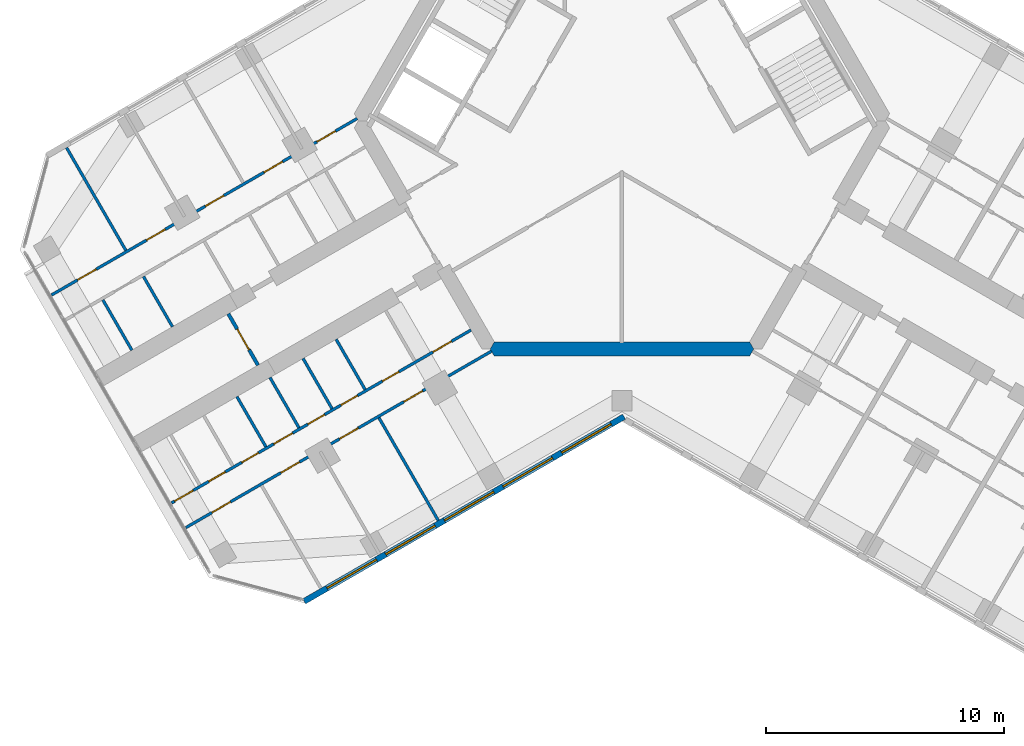
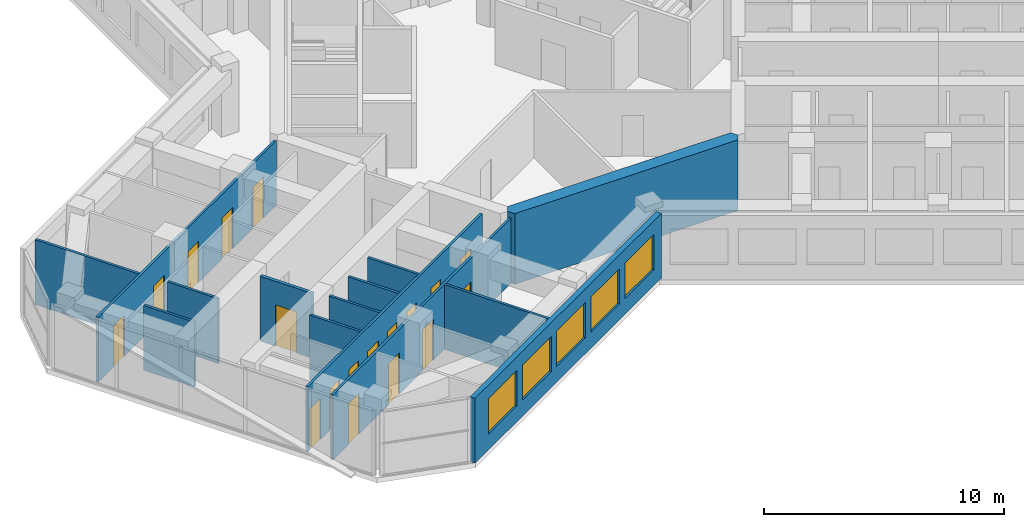
# One storey, part 8 of 16: 18 doors, 14 walls, 5 windows, 23 openings.
"""IFC4 building model written with IfcOpenShell, lengths in metres."""

from ifc_helpers import new_model, si_unit, direction, frame, frame_2d, origin, place, context, subcontext, project, spatial, polyline, rectangle, outline, extrude, material, layer, layer_set, type_object, element, fill, save


model = new_model("IFC4")

# Units and contexts
model_context = context("Model", 3, precision=1e-05, world=origin(), true_north=direction((0.0, 1.0)))
body_context = subcontext(model_context, "Body", "Model", "MODEL_VIEW")
ifc_project = project(units=[si_unit("LENGTHUNIT", "METRE"), si_unit("AREAUNIT", "SQUARE_METRE"), si_unit("VOLUMEUNIT", "CUBIC_METRE"), si_unit("PLANEANGLEUNIT", "RADIAN"), si_unit("MASSUNIT", "GRAM", prefix="KILO")], contexts=[model_context])

# Site, building, storey
site_placement = place(None, origin())
site = spatial("IfcSite", under=ifc_project, at=site_placement, CompositionType="ELEMENT")
building_placement = place(site_placement, origin())
building = spatial("IfcBuilding", under=site, at=building_placement, Name="Kosmar Iwan School Tower", CompositionType="ELEMENT")
storey_placement = place(building_placement, frame((0.0, 0.0, 256.800048828125)))
storey = spatial("IfcBuildingStorey", under=building, at=storey_placement, Name="L65", CompositionType="ELEMENT", Elevation=256.800048828125)

# Wall
ifc_material_1 = material(Name="Concrete C50/60", Category="concrete")
ifc_layer_1 = layer(ifc_material_1, 0.60009765625)
ifc_layer_set_1 = layer_set([ifc_layer_1], Name="Core wall 600")
wall_type_1 = type_object("IfcWallType", Name="Core wall 600", PredefinedType="SHEAR", material=ifc_layer_set_1)
wall_1_placement = place(storey_placement, origin())
element("IfcWall", 1, at=wall_1_placement, inside=storey, type_object=wall_type_1, Name="Core wall F270", PredefinedType="SHEAR", context=body_context, shape_type="SweptSolid", body=[
    extrude(outline(polyline([(-5.369384765625, -9.89990234375), (5.369384765625, -9.89990234375), (5.54248046875, -9.60009765625), (5.369384765625, -9.300048828125), (-5.369384765625, -9.300048828125), (-5.54248046875, -9.60009765625), (-5.369384765625, -9.89990234375)])), origin(), (0.0, 0.0, 1.0), 3.599853515625),
])

# Wall, opening, door
ifc_material_2 = material(Name="Gypsum board on steel studs, fire-rated", Category="steel")
ifc_layer_2 = layer(ifc_material_2, 0.14990234375)
ifc_layer_set_2 = layer_set([ifc_layer_2], Name="Corridor end wall 150")
wall_type_2 = type_object("IfcWallType", Name="Corridor end wall 150", PredefinedType="PARTITIONING", material=ifc_layer_set_2)
wall_2_placement = place(storey_placement, frame((-16.559814453125, -8.117431640625, 0.0), z_axis=(0.0, 0.0, 1.0), x_axis=(0.500004234368, -0.866022959057, 0.0)))
wall_2 = element("IfcWall", 2, at=wall_2_placement, inside=storey, type_object=wall_type_2, Name="Partition L65-B-CE", PredefinedType="PARTITIONING", context=body_context, shape_type="SweptSolid", body=[
    extrude(rectangle(XDim=2.5, YDim=0.14990234375, at=frame_2d((1.25, 0.0))), origin(), (0.0, 0.0, 1.0), 3.300048828125),
])
opening_1_placement = place(wall_2_placement, frame((0.75, 0.0, 0.0)))
opening_1 = element("IfcOpeningElement", 3, at=opening_1_placement, cuts=wall_2, Name="Opening D13", PredefinedType="OPENING", context=body_context, shape_type="SweptSolid", body=[
    extrude(rectangle(XDim=1.0, YDim=2.10009765625, at=frame_2d((0.5, 1.050048828125))), frame((0.0, 0.0869140625, 0.0), z_axis=(0.0, -1.0, 0.0), x_axis=(1.0, 0.0, 0.0)), (0.0, 0.0, 1.0), 0.173828125),
])
ifc_material_3 = material(Name="Timber fire door with vision panel", Category="wood")
door_type_1 = type_object("IfcDoorType", Name="Corridor end door 1000x2100", OperationType="SINGLE_SWING_LEFT", PredefinedType="DOOR", material=ifc_material_3)
door_1_placement = place(opening_1_placement, origin())
door_1 = element("IfcDoor", 4, at=door_1_placement, inside=storey, type_object=door_type_1, Name="Hobby workshop door L65-B", OperationType="SINGLE_SWING_RIGHT", OverallHeight=2.10009765625, OverallWidth=1.0, PredefinedType="DOOR", context=body_context, shape_type="SweptSolid", body=[
    extrude(rectangle(XDim=1.0, YDim=2.10009765625, at=frame_2d((0.5, 1.050048828125))), frame((0.0, 0.02490234375, 0.0), z_axis=(0.0, -1.0, 0.0), x_axis=(1.0, 0.0, 0.0)), (0.0, 0.0, 1.0), 0.050048828125),
])
fill(opening_1, door_1)

# Wall, openings, doors
ifc_material_4 = material(Name="Gypsum board on steel studs", Category="steel")
ifc_layer_3 = layer(ifc_material_4, 0.1201171875)
ifc_layer_set_3 = layer_set([ifc_layer_3], Name="Dwelling partition 120")
wall_type_3 = type_object("IfcWallType", Name="Dwelling partition 120", PredefinedType="PARTITIONING", material=ifc_layer_set_3)
wall_3_placement = place(storey_placement, frame((-6.3486328125, -8.8037109375, 0.0), z_axis=(0.0, 0.0, 1.0), x_axis=(-0.866020949409, -0.500007715126, 0.0)))
wall_3 = element("IfcWall", 5, at=wall_3_placement, inside=storey, type_object=wall_type_3, Name="Partition L65-BL1-W1", PredefinedType="PARTITIONING", context=body_context, shape_type="SweptSolid", body=[
    extrude(rectangle(XDim=14.545166015625, YDim=0.1201171875, at=frame_2d((7.2724609375, 0.0))), origin(), (0.0, 0.0, 1.0), 3.300048828125),
])
opening_2_placement = place(wall_3_placement, frame((0.949951171875, 0.0, 0.0)))
opening_2 = element("IfcOpeningElement", 6, at=opening_2_placement, cuts=wall_3, Name="Opening D2", PredefinedType="OPENING", context=body_context, shape_type="SweptSolid", body=[
    extrude(rectangle(XDim=0.89990234375, YDim=2.10009765625, at=frame_2d((0.449951171875, 1.050048828125))), frame((0.0, 0.072021484375, 0.0), z_axis=(0.0, -1.0, 0.0), x_axis=(1.0, 0.0, 0.0)), (0.0, 0.0, 1.0), 0.14404296875),
])
opening_3_placement = place(wall_3_placement, frame((3.505126953125, 0.0, 0.0)))
opening_3 = element("IfcOpeningElement", 7, at=opening_3_placement, cuts=wall_3, Name="Opening D3", PredefinedType="OPENING", context=body_context, shape_type="SweptSolid", body=[
    extrude(rectangle(XDim=0.800048828125, YDim=2.10009765625, at=frame_2d((0.39990234375, 1.050048828125))), frame((0.0, 0.072021484375, 0.0), z_axis=(0.0, -1.0, 0.0), x_axis=(1.0, 0.0, 0.0)), (0.0, 0.0, 1.0), 0.14404296875),
])
opening_4_placement = place(wall_3_placement, frame((5.513427734375, 0.0, 0.0)))
opening_4 = element("IfcOpeningElement", 8, at=opening_4_placement, cuts=wall_3, Name="Opening D3", PredefinedType="OPENING", context=body_context, shape_type="SweptSolid", body=[
    extrude(rectangle(XDim=0.800048828125, YDim=2.10009765625, at=frame_2d((0.39990234375, 1.050048828125))), frame((0.0, 0.072021484375, 0.0), z_axis=(0.0, -1.0, 0.0), x_axis=(1.0, 0.0, 0.0)), (0.0, 0.0, 1.0), 0.14404296875),
])
opening_5_placement = place(wall_3_placement, frame((7.1201171875, 0.0, 0.0)))
opening_5 = element("IfcOpeningElement", 9, at=opening_5_placement, cuts=wall_3, Name="Opening D3", PredefinedType="OPENING", context=body_context, shape_type="SweptSolid", body=[
    extrude(rectangle(XDim=0.800048828125, YDim=2.10009765625, at=frame_2d((0.39990234375, 1.050048828125))), frame((0.0, 0.072021484375, 0.0), z_axis=(0.0, -1.0, 0.0), x_axis=(1.0, 0.0, 0.0)), (0.0, 0.0, 1.0), 0.14404296875),
])
opening_6_placement = place(wall_3_placement, frame((8.6767578125, 0.0, 0.0)))
opening_6 = element("IfcOpeningElement", 10, at=opening_6_placement, cuts=wall_3, Name="Opening D2", PredefinedType="OPENING", context=body_context, shape_type="SweptSolid", body=[
    extrude(rectangle(XDim=0.89990234375, YDim=2.10009765625, at=frame_2d((0.449951171875, 1.050048828125))), frame((0.0, 0.072021484375, 0.0), z_axis=(0.0, -1.0, 0.0), x_axis=(1.0, 0.0, 0.0)), (0.0, 0.0, 1.0), 0.14404296875),
])
opening_7_placement = place(wall_3_placement, frame((10.333251953125, 0.0, 0.0)))
opening_7 = element("IfcOpeningElement", 11, at=opening_7_placement, cuts=wall_3, Name="Opening D3", PredefinedType="OPENING", context=body_context, shape_type="SweptSolid", body=[
    extrude(rectangle(XDim=0.800048828125, YDim=2.10009765625, at=frame_2d((0.39990234375, 1.050048828125))), frame((0.0, 0.072021484375, 0.0), z_axis=(0.0, -1.0, 0.0), x_axis=(1.0, 0.0, 0.0)), (0.0, 0.0, 1.0), 0.14404296875),
])
opening_8_placement = place(wall_3_placement, frame((11.93994140625, 0.0, 0.0)))
opening_8 = element("IfcOpeningElement", 12, at=opening_8_placement, cuts=wall_3, Name="Opening D3", PredefinedType="OPENING", context=body_context, shape_type="SweptSolid", body=[
    extrude(rectangle(XDim=0.800048828125, YDim=2.10009765625, at=frame_2d((0.39990234375, 1.050048828125))), frame((0.0, 0.072021484375, 0.0), z_axis=(0.0, -1.0, 0.0), x_axis=(1.0, 0.0, 0.0)), (0.0, 0.0, 1.0), 0.14404296875),
])
opening_9_placement = place(wall_3_placement, frame((13.49658203125, 0.0, 0.0)))
opening_9 = element("IfcOpeningElement", 13, at=opening_9_placement, cuts=wall_3, Name="Opening D2", PredefinedType="OPENING", context=body_context, shape_type="SweptSolid", body=[
    extrude(rectangle(XDim=0.89990234375, YDim=2.10009765625, at=frame_2d((0.449951171875, 1.050048828125))), frame((0.0, 0.072021484375, 0.0), z_axis=(0.0, -1.0, 0.0), x_axis=(1.0, 0.0, 0.0)), (0.0, 0.0, 1.0), 0.14404296875),
])
ifc_material_5 = material(Name="Timber door in timber frame", Category="wood")
door_type_2 = type_object("IfcDoorType", Name="Internal door 900x2100", OperationType="SINGLE_SWING_LEFT", PredefinedType="DOOR", material=ifc_material_5)
door_2_placement = place(opening_2_placement, origin())
door_2 = element("IfcDoor", 14, at=door_2_placement, inside=storey, type_object=door_type_2, Name="Entrance hall door L65-BL1-S1", OperationType="SINGLE_SWING_LEFT", OverallHeight=2.10009765625, OverallWidth=0.89990234375, PredefinedType="DOOR", context=body_context, shape_type="SweptSolid", body=[
    extrude(rectangle(XDim=0.89990234375, YDim=2.10009765625, at=frame_2d((0.449951171875, 1.050048828125))), frame((0.0, 0.02490234375, 0.0), z_axis=(0.0, -1.0, 0.0), x_axis=(1.0, 0.0, 0.0)), (0.0, 0.0, 1.0), 0.050048828125),
])
fill(opening_2, door_2)
door_3_placement = place(opening_6_placement, origin())
door_3 = element("IfcDoor", 15, at=door_3_placement, inside=storey, type_object=door_type_2, Name="Pantry door L65-BL1-S5", OperationType="SINGLE_SWING_RIGHT", OverallHeight=2.10009765625, OverallWidth=0.89990234375, PredefinedType="DOOR", context=body_context, shape_type="SweptSolid", body=[
    extrude(rectangle(XDim=0.89990234375, YDim=2.10009765625, at=frame_2d((0.449951171875, 1.050048828125))), frame((0.0, 0.02490234375, 0.0), z_axis=(0.0, -1.0, 0.0), x_axis=(1.0, 0.0, 0.0)), (0.0, 0.0, 1.0), 0.050048828125),
])
fill(opening_6, door_3)
door_4_placement = place(opening_9_placement, origin())
door_4 = element("IfcDoor", 16, at=door_4_placement, inside=storey, type_object=door_type_2, Name="Utility room door L65-BL1-S8", OperationType="SINGLE_SWING_RIGHT", OverallHeight=2.10009765625, OverallWidth=0.89990234375, PredefinedType="DOOR", context=body_context, shape_type="SweptSolid", body=[
    extrude(rectangle(XDim=0.89990234375, YDim=2.10009765625, at=frame_2d((0.449951171875, 1.050048828125))), frame((0.0, 0.02490234375, 0.0), z_axis=(0.0, -1.0, 0.0), x_axis=(1.0, 0.0, 0.0)), (0.0, 0.0, 1.0), 0.050048828125),
])
fill(opening_9, door_4)
ifc_material_6 = material(Name="Timber door in timber frame", Category="wood")
door_type_3 = type_object("IfcDoorType", Name="Sanitary room door 800x2100", OperationType="SINGLE_SWING_LEFT", PredefinedType="DOOR", material=ifc_material_6)
door_5_placement = place(opening_3_placement, origin())
door_5 = element("IfcDoor", 17, at=door_5_placement, inside=storey, type_object=door_type_3, Name="Bathroom door L65-BL1-S2", OperationType="SINGLE_SWING_LEFT", OverallHeight=2.10009765625, OverallWidth=0.800048828125, PredefinedType="DOOR", context=body_context, shape_type="SweptSolid", body=[
    extrude(rectangle(XDim=0.800048828125, YDim=2.10009765625, at=frame_2d((0.39990234375, 1.050048828125))), frame((0.0, 0.02490234375, 0.0), z_axis=(0.0, -1.0, 0.0), x_axis=(1.0, 0.0, 0.0)), (0.0, 0.0, 1.0), 0.050048828125),
])
fill(opening_3, door_5)
door_6_placement = place(opening_4_placement, origin())
door_6 = element("IfcDoor", 18, at=door_6_placement, inside=storey, type_object=door_type_3, Name="Grandparents' shower room door L65-BL1-S3", OperationType="SINGLE_SWING_LEFT", OverallHeight=2.10009765625, OverallWidth=0.800048828125, PredefinedType="DOOR", context=body_context, shape_type="SweptSolid", body=[
    extrude(rectangle(XDim=0.800048828125, YDim=2.10009765625, at=frame_2d((0.39990234375, 1.050048828125))), frame((0.0, 0.02490234375, 0.0), z_axis=(0.0, -1.0, 0.0), x_axis=(1.0, 0.0, 0.0)), (0.0, 0.0, 1.0), 0.050048828125),
])
fill(opening_4, door_6)
door_7_placement = place(opening_5_placement, origin())
door_7 = element("IfcDoor", 19, at=door_7_placement, inside=storey, type_object=door_type_3, Name="Shower room door L65-BL1-S4", OperationType="SINGLE_SWING_RIGHT", OverallHeight=2.10009765625, OverallWidth=0.800048828125, PredefinedType="DOOR", context=body_context, shape_type="SweptSolid", body=[
    extrude(rectangle(XDim=0.800048828125, YDim=2.10009765625, at=frame_2d((0.39990234375, 1.050048828125))), frame((0.0, 0.02490234375, 0.0), z_axis=(0.0, -1.0, 0.0), x_axis=(1.0, 0.0, 0.0)), (0.0, 0.0, 1.0), 0.050048828125),
])
fill(opening_5, door_7)
door_8_placement = place(opening_7_placement, origin())
door_8 = element("IfcDoor", 20, at=door_8_placement, inside=storey, type_object=door_type_3, Name="WC door L65-BL1-S6", OperationType="SINGLE_SWING_RIGHT", OverallHeight=2.10009765625, OverallWidth=0.800048828125, PredefinedType="DOOR", context=body_context, shape_type="SweptSolid", body=[
    extrude(rectangle(XDim=0.800048828125, YDim=2.10009765625, at=frame_2d((0.39990234375, 1.050048828125))), frame((0.0, 0.02490234375, 0.0), z_axis=(0.0, -1.0, 0.0), x_axis=(1.0, 0.0, 0.0)), (0.0, 0.0, 1.0), 0.050048828125),
])
fill(opening_7, door_8)
door_9_placement = place(opening_8_placement, origin())
door_9 = element("IfcDoor", 21, at=door_9_placement, inside=storey, type_object=door_type_3, Name="Store door L65-BL1-S7", OperationType="SINGLE_SWING_RIGHT", OverallHeight=2.10009765625, OverallWidth=0.800048828125, PredefinedType="DOOR", context=body_context, shape_type="SweptSolid", body=[
    extrude(rectangle(XDim=0.800048828125, YDim=2.10009765625, at=frame_2d((0.39990234375, 1.050048828125))), frame((0.0, 0.02490234375, 0.0), z_axis=(0.0, -1.0, 0.0), x_axis=(1.0, 0.0, 0.0)), (0.0, 0.0, 1.0), 0.050048828125),
])
fill(opening_8, door_9)

wall_4_placement = place(storey_placement, frame((-5.48876953125, -9.693115234375, 0.0), z_axis=(0.0, 0.0, 1.0), x_axis=(-0.866030301974, -0.499991515992, 0.0)))
wall_4 = element("IfcWall", 22, at=wall_4_placement, inside=storey, type_object=wall_type_3, Name="Partition L65-BL1-W2", PredefinedType="PARTITIONING", context=body_context, shape_type="SweptSolid", body=[
    extrude(rectangle(XDim=14.844970703125, YDim=0.1201171875, at=frame_2d((7.42236328125, 0.0))), origin(), (0.0, 0.0, 1.0), 3.300048828125),
])
opening_10_placement = place(wall_4_placement, frame((3.35009765625, 0.0, 0.0)))
opening_10 = element("IfcOpeningElement", 23, at=opening_10_placement, cuts=wall_4, Name="Opening D2", PredefinedType="OPENING", context=body_context, shape_type="SweptSolid", body=[
    extrude(rectangle(XDim=0.89990234375, YDim=2.10009765625, at=frame_2d((0.449951171875, 1.050048828125))), frame((0.0, 0.072021484375, 0.0), z_axis=(0.0, -1.0, 0.0), x_axis=(1.0, 0.0, 0.0)), (0.0, 0.0, 1.0), 0.14404296875),
])
opening_11_placement = place(wall_4_placement, frame((6.47509765625, 0.0, 0.0)))
opening_11 = element("IfcOpeningElement", 24, at=opening_11_placement, cuts=wall_4, Name="Opening D2", PredefinedType="OPENING", context=body_context, shape_type="SweptSolid", body=[
    extrude(rectangle(XDim=0.89990234375, YDim=2.10009765625, at=frame_2d((0.449951171875, 1.050048828125))), frame((0.0, 0.072021484375, 0.0), z_axis=(0.0, -1.0, 0.0), x_axis=(1.0, 0.0, 0.0)), (0.0, 0.0, 1.0), 0.14404296875),
])
opening_12_placement = place(wall_4_placement, frame((9.324951171875, 0.0, 0.0)))
opening_12 = element("IfcOpeningElement", 25, at=opening_12_placement, cuts=wall_4, Name="Opening D2", PredefinedType="OPENING", context=body_context, shape_type="SweptSolid", body=[
    extrude(rectangle(XDim=0.89990234375, YDim=2.10009765625, at=frame_2d((0.449951171875, 1.050048828125))), frame((0.0, 0.072021484375, 0.0), z_axis=(0.0, -1.0, 0.0), x_axis=(1.0, 0.0, 0.0)), (0.0, 0.0, 1.0), 0.14404296875),
])
opening_13_placement = place(wall_4_placement, frame((12.675048828125, 0.0, 0.0)))
opening_13 = element("IfcOpeningElement", 26, at=opening_13_placement, cuts=wall_4, Name="Opening D2", PredefinedType="OPENING", context=body_context, shape_type="SweptSolid", body=[
    extrude(rectangle(XDim=0.89990234375, YDim=2.10009765625, at=frame_2d((0.449951171875, 1.050048828125))), frame((0.0, 0.072021484375, 0.0), z_axis=(0.0, -1.0, 0.0), x_axis=(1.0, 0.0, 0.0)), (0.0, 0.0, 1.0), 0.14404296875),
])
door_10_placement = place(opening_10_placement, origin())
door_10 = element("IfcDoor", 27, at=door_10_placement, inside=storey, type_object=door_type_2, Name="Living room and kitchen door L65-BL1-F1", OperationType="SINGLE_SWING_RIGHT", OverallHeight=2.10009765625, OverallWidth=0.89990234375, PredefinedType="DOOR", context=body_context, shape_type="SweptSolid", body=[
    extrude(rectangle(XDim=0.89990234375, YDim=2.10009765625, at=frame_2d((0.449951171875, 1.050048828125))), frame((0.0, 0.02490234375, 0.0), z_axis=(0.0, -1.0, 0.0), x_axis=(1.0, 0.0, 0.0)), (0.0, 0.0, 1.0), 0.050048828125),
])
fill(opening_10, door_10)
door_11_placement = place(opening_11_placement, origin())
door_11 = element("IfcDoor", 28, at=door_11_placement, inside=storey, type_object=door_type_2, Name="Grandparents' suite door L65-BL1-F2", OperationType="SINGLE_SWING_RIGHT", OverallHeight=2.10009765625, OverallWidth=0.89990234375, PredefinedType="DOOR", context=body_context, shape_type="SweptSolid", body=[
    extrude(rectangle(XDim=0.89990234375, YDim=2.10009765625, at=frame_2d((0.449951171875, 1.050048828125))), frame((0.0, 0.02490234375, 0.0), z_axis=(0.0, -1.0, 0.0), x_axis=(1.0, 0.0, 0.0)), (0.0, 0.0, 1.0), 0.050048828125),
])
fill(opening_11, door_11)
door_12_placement = place(opening_12_placement, origin())
door_12 = element("IfcDoor", 29, at=door_12_placement, inside=storey, type_object=door_type_2, Name="Bedroom 1 door L65-BL1-F3", OperationType="SINGLE_SWING_LEFT", OverallHeight=2.10009765625, OverallWidth=0.89990234375, PredefinedType="DOOR", context=body_context, shape_type="SweptSolid", body=[
    extrude(rectangle(XDim=0.89990234375, YDim=2.10009765625, at=frame_2d((0.449951171875, 1.050048828125))), frame((0.0, 0.02490234375, 0.0), z_axis=(0.0, -1.0, 0.0), x_axis=(1.0, 0.0, 0.0)), (0.0, 0.0, 1.0), 0.050048828125),
])
fill(opening_12, door_12)
door_13_placement = place(opening_13_placement, origin())
door_13 = element("IfcDoor", 30, at=door_13_placement, inside=storey, type_object=door_type_2, Name="Bedroom 2 door L65-BL1-F4", OperationType="SINGLE_SWING_RIGHT", OverallHeight=2.10009765625, OverallWidth=0.89990234375, PredefinedType="DOOR", context=body_context, shape_type="SweptSolid", body=[
    extrude(rectangle(XDim=0.89990234375, YDim=2.10009765625, at=frame_2d((0.449951171875, 1.050048828125))), frame((0.0, 0.02490234375, 0.0), z_axis=(0.0, -1.0, 0.0), x_axis=(1.0, 0.0, 0.0)), (0.0, 0.0, 1.0), 0.050048828125),
])
fill(opening_13, door_13)

# Walls
wall_5_placement = place(storey_placement, frame((-10.221923828125, -12.4951171875, 0.0), z_axis=(0.0, 0.0, 1.0), x_axis=(0.499996339024, -0.86602751744, 0.0)))
element("IfcWall", 31, at=wall_5_placement, inside=storey, type_object=wall_type_3, Name="Partition L65-BL1-X1", PredefinedType="PARTITIONING", context=body_context, shape_type="SweptSolid", body=[
    extrude(rectangle(XDim=4.98974609375, YDim=0.1201171875, at=frame_2d((2.494873046875, 0.0))), origin(), (0.0, 0.0, 1.0), 3.300048828125),
])
for number, where, z_axis, x_axis, name in (
    (32, (-12.02392578125, -9.19384765625, 0.0), (0.0, 0.0, 1.0), (0.500002508028, -0.866023955769, 0.0), "Partition L65-BL1-Y2"),
    (33, (-13.41552734375, -9.9970703125, 0.0), (0.0, 0.0, 1.0), (0.500002508028, -0.866023955769, 0.0), "Partition L65-BL1-Y3"),
):
    element("IfcWall", number, at=place(storey_placement, frame(where, z_axis=z_axis, x_axis=x_axis)), inside=storey, type_object=wall_type_3, Name=name, PredefinedType="PARTITIONING", context=body_context, shape_type="SweptSolid", body=[
        extrude(rectangle(XDim=2.43994140625, YDim=0.1201171875, at=frame_2d((1.219970703125, 0.0))), origin(), (0.0, 0.0, 1.0), 3.300048828125),
    ])
wall_6_placement = place(storey_placement, frame((-14.806884765625, -10.80029296875, 0.0), z_axis=(0.0, 0.0, 1.0), x_axis=(0.499959183527, -0.866048967903, 0.0)))
element("IfcWall", 34, at=wall_6_placement, inside=storey, type_object=wall_type_3, Name="Partition L65-BL1-Y4", PredefinedType="PARTITIONING", context=body_context, shape_type="SweptSolid", body=[
    extrude(rectangle(XDim=2.440185546875, YDim=0.1201171875, at=frame_2d((1.22021484375, 0.0))), origin(), (0.0, 0.0, 1.0), 3.300048828125),
])
wall_7_placement = place(storey_placement, frame((-16.1982421875, -11.603759765625, 0.0), z_axis=(0.0, 0.0, 1.0), x_axis=(0.500002508028, -0.866023955769, 0.0)))
element("IfcWall", 35, at=wall_7_placement, inside=storey, type_object=wall_type_3, Name="Partition L65-BL1-Y5", PredefinedType="PARTITIONING", context=body_context, shape_type="SweptSolid", body=[
    extrude(rectangle(XDim=2.43994140625, YDim=0.1201171875, at=frame_2d((1.219970703125, 0.0))), origin(), (0.0, 0.0, 1.0), 3.300048828125),
])

# Wall, openings, doors
wall_8_placement = place(storey_placement, frame((-11.138916015625, 0.093017578125, 0.0), z_axis=(0.0, 0.0, 1.0), x_axis=(-0.866030301974, -0.499991515992, 0.0)))
wall_8 = element("IfcWall", 36, at=wall_8_placement, inside=storey, type_object=wall_type_3, Name="Partition L65-BR1-W2", PredefinedType="PARTITIONING", context=body_context, shape_type="SweptSolid", body=[
    extrude(rectangle(XDim=14.844970703125, YDim=0.1201171875, at=frame_2d((7.42236328125, 0.0))), origin(), (0.0, 0.0, 1.0), 3.300048828125),
])
opening_14_placement = place(wall_8_placement, frame((1.050048828125, 0.0, 0.0)))
opening_14 = element("IfcOpeningElement", 37, at=opening_14_placement, cuts=wall_8, Name="Opening D2", PredefinedType="OPENING", context=body_context, shape_type="SweptSolid", body=[
    extrude(rectangle(XDim=0.89990234375, YDim=2.10009765625, at=frame_2d((0.449951171875, 1.050048828125))), frame((0.0, 0.072021484375, 0.0), z_axis=(0.0, -1.0, 0.0), x_axis=(1.0, 0.0, 0.0)), (0.0, 0.0, 1.0), 0.14404296875),
])
opening_15_placement = place(wall_8_placement, frame((3.625, 0.0, 0.0)))
opening_15 = element("IfcOpeningElement", 38, at=opening_15_placement, cuts=wall_8, Name="Opening D2", PredefinedType="OPENING", context=body_context, shape_type="SweptSolid", body=[
    extrude(rectangle(XDim=0.89990234375, YDim=2.10009765625, at=frame_2d((0.449951171875, 1.050048828125))), frame((0.0, 0.072021484375, 0.0), z_axis=(0.0, -1.0, 0.0), x_axis=(1.0, 0.0, 0.0)), (0.0, 0.0, 1.0), 0.14404296875),
])
opening_16_placement = place(wall_8_placement, frame((6.47509765625, 0.0, 0.0)))
opening_16 = element("IfcOpeningElement", 39, at=opening_16_placement, cuts=wall_8, Name="Opening D2", PredefinedType="OPENING", context=body_context, shape_type="SweptSolid", body=[
    extrude(rectangle(XDim=0.89990234375, YDim=2.10009765625, at=frame_2d((0.449951171875, 1.050048828125))), frame((0.0, 0.072021484375, 0.0), z_axis=(0.0, -1.0, 0.0), x_axis=(1.0, 0.0, 0.0)), (0.0, 0.0, 1.0), 0.14404296875),
])
opening_17_placement = place(wall_8_placement, frame((9.324951171875, 0.0, 0.0)))
opening_17 = element("IfcOpeningElement", 40, at=opening_17_placement, cuts=wall_8, Name="Opening D2", PredefinedType="OPENING", context=body_context, shape_type="SweptSolid", body=[
    extrude(rectangle(XDim=0.89990234375, YDim=2.10009765625, at=frame_2d((0.449951171875, 1.050048828125))), frame((0.0, 0.072021484375, 0.0), z_axis=(0.0, -1.0, 0.0), x_axis=(1.0, 0.0, 0.0)), (0.0, 0.0, 1.0), 0.14404296875),
])
opening_18_placement = place(wall_8_placement, frame((12.675048828125, 0.0, 0.0)))
opening_18 = element("IfcOpeningElement", 41, at=opening_18_placement, cuts=wall_8, Name="Opening D2", PredefinedType="OPENING", context=body_context, shape_type="SweptSolid", body=[
    extrude(rectangle(XDim=0.89990234375, YDim=2.10009765625, at=frame_2d((0.449951171875, 1.050048828125))), frame((0.0, 0.072021484375, 0.0), z_axis=(0.0, -1.0, 0.0), x_axis=(1.0, 0.0, 0.0)), (0.0, 0.0, 1.0), 0.14404296875),
])
door_14_placement = place(opening_14_placement, origin())
door_14 = element("IfcDoor", 42, at=door_14_placement, inside=storey, type_object=door_type_2, Name="Living room and kitchen door L65-BR1-F1", OperationType="SINGLE_SWING_LEFT", OverallHeight=2.10009765625, OverallWidth=0.89990234375, PredefinedType="DOOR", context=body_context, shape_type="SweptSolid", body=[
    extrude(rectangle(XDim=0.89990234375, YDim=2.10009765625, at=frame_2d((0.449951171875, 1.050048828125))), frame((0.0, 0.02490234375, 0.0), z_axis=(0.0, -1.0, 0.0), x_axis=(1.0, 0.0, 0.0)), (0.0, 0.0, 1.0), 0.050048828125),
])
fill(opening_14, door_14)
door_15_placement = place(opening_15_placement, origin())
door_15 = element("IfcDoor", 43, at=door_15_placement, inside=storey, type_object=door_type_2, Name="Study door L65-BR1-F2", OperationType="SINGLE_SWING_LEFT", OverallHeight=2.10009765625, OverallWidth=0.89990234375, PredefinedType="DOOR", context=body_context, shape_type="SweptSolid", body=[
    extrude(rectangle(XDim=0.89990234375, YDim=2.10009765625, at=frame_2d((0.449951171875, 1.050048828125))), frame((0.0, 0.02490234375, 0.0), z_axis=(0.0, -1.0, 0.0), x_axis=(1.0, 0.0, 0.0)), (0.0, 0.0, 1.0), 0.050048828125),
])
fill(opening_15, door_15)
door_16_placement = place(opening_16_placement, origin())
door_16 = element("IfcDoor", 44, at=door_16_placement, inside=storey, type_object=door_type_2, Name="Bedroom 2 door L65-BR1-F3", OperationType="SINGLE_SWING_LEFT", OverallHeight=2.10009765625, OverallWidth=0.89990234375, PredefinedType="DOOR", context=body_context, shape_type="SweptSolid", body=[
    extrude(rectangle(XDim=0.89990234375, YDim=2.10009765625, at=frame_2d((0.449951171875, 1.050048828125))), frame((0.0, 0.02490234375, 0.0), z_axis=(0.0, -1.0, 0.0), x_axis=(1.0, 0.0, 0.0)), (0.0, 0.0, 1.0), 0.050048828125),
])
fill(opening_16, door_16)
door_17_placement = place(opening_17_placement, origin())
door_17 = element("IfcDoor", 45, at=door_17_placement, inside=storey, type_object=door_type_2, Name="Grandparents' suite door L65-BR1-F4", OperationType="SINGLE_SWING_RIGHT", OverallHeight=2.10009765625, OverallWidth=0.89990234375, PredefinedType="DOOR", context=body_context, shape_type="SweptSolid", body=[
    extrude(rectangle(XDim=0.89990234375, YDim=2.10009765625, at=frame_2d((0.449951171875, 1.050048828125))), frame((0.0, 0.02490234375, 0.0), z_axis=(0.0, -1.0, 0.0), x_axis=(1.0, 0.0, 0.0)), (0.0, 0.0, 1.0), 0.050048828125),
])
fill(opening_17, door_17)
door_18_placement = place(opening_18_placement, origin())
door_18 = element("IfcDoor", 46, at=door_18_placement, inside=storey, type_object=door_type_2, Name="Bedroom 1 door L65-BR1-F5", OperationType="SINGLE_SWING_RIGHT", OverallHeight=2.10009765625, OverallWidth=0.89990234375, PredefinedType="DOOR", context=body_context, shape_type="SweptSolid", body=[
    extrude(rectangle(XDim=0.89990234375, YDim=2.10009765625, at=frame_2d((0.449951171875, 1.050048828125))), frame((0.0, 0.02490234375, 0.0), z_axis=(0.0, -1.0, 0.0), x_axis=(1.0, 0.0, 0.0)), (0.0, 0.0, 1.0), 0.050048828125),
])
fill(opening_18, door_18)

# Walls
wall_9_placement = place(storey_placement, frame((-20.868408203125, -5.455078125, 0.0), z_axis=(0.0, 0.0, 1.0), x_axis=(-0.499975153383, 0.86603974851, 0.0)))
element("IfcWall", 47, at=wall_9_placement, inside=storey, type_object=wall_type_3, Name="Partition L65-BR1-X4", PredefinedType="PARTITIONING", context=body_context, shape_type="SweptSolid", body=[
    extrude(rectangle(XDim=4.989990234375, YDim=0.1201171875, at=frame_2d((2.4951171875, 0.0))), origin(), (0.0, 0.0, 1.0), 3.300048828125),
])
wall_10_placement = place(storey_placement, frame((-18.907958984375, -8.664794921875, 0.0), z_axis=(0.0, 0.0, 1.0), x_axis=(-0.500002508028, 0.866023955769, 0.0)))
element("IfcWall", 48, at=wall_10_placement, inside=storey, type_object=wall_type_3, Name="Partition L65-BR1-Y5", PredefinedType="PARTITIONING", context=body_context, shape_type="SweptSolid", body=[
    extrude(rectangle(XDim=2.43994140625, YDim=0.1201171875, at=frame_2d((1.219970703125, 0.0))), origin(), (0.0, 0.0, 1.0), 3.300048828125),
])
wall_11_placement = place(storey_placement, frame((-20.615234375, -9.650634765625, 0.0), z_axis=(0.0, 0.0, 1.0), x_axis=(-0.499959183527, 0.866048967903, 0.0)))
element("IfcWall", 49, at=wall_11_placement, inside=storey, type_object=wall_type_3, Name="Partition L65-BR1-Y6", PredefinedType="PARTITIONING", context=body_context, shape_type="SweptSolid", body=[
    extrude(rectangle(XDim=2.440185546875, YDim=0.1201171875, at=frame_2d((1.22021484375, 0.0))), origin(), (0.0, 0.0, 1.0), 3.300048828125),
])

# Wall, openings, windows
ifc_material_7 = material(Name="Black aluminium rainscreen on insulated framing", Category="aluminium")
ifc_layer_4 = layer(ifc_material_7, 0.25)
ifc_layer_set_4 = layer_set([ifc_layer_4], Name="External wall rainscreen 250")
wall_type_4 = type_object("IfcWallType", Name="External wall rainscreen 250", PredefinedType="SOLIDWALL", material=ifc_layer_set_4)
wall_12_placement = place(storey_placement, frame((0.088134765625, -12.44873046875, 0.0), z_axis=(0.0, 0.0, 1.0), x_axis=(-0.866029894971, -0.499992220956, 0.0)))
wall_12 = element("IfcWall", 50, at=wall_12_placement, inside=storey, type_object=wall_type_4, Name="External wall BL L65", PredefinedType="SOLIDWALL", context=body_context, shape_type="SweptSolid", body=[
    extrude(rectangle(XDim=15.537353515625, YDim=0.25, at=frame_2d((7.7685546875, 0.0))), origin(), (0.0, 0.0, 1.0), 3.300048828125),
])
opening_19_placement = place(wall_12_placement, frame((0.626953125, 0.0, 0.800048828125)))
opening_19 = element("IfcOpeningElement", 51, at=opening_19_placement, cuts=wall_12, Name="Opening W5", PredefinedType="OPENING", context=body_context, shape_type="SweptSolid", body=[
    extrude(rectangle(XDim=2.39990234375, YDim=1.800048828125, at=frame_2d((1.199951171875, 0.89990234375))), frame((0.0, 0.136962890625, 0.0), z_axis=(0.0, -1.0, 0.0), x_axis=(1.0, 0.0, 0.0)), (0.0, 0.0, 1.0), 0.27392578125),
])
opening_20_placement = place(wall_12_placement, frame((3.47705078125, 0.0, 0.800048828125)))
opening_20 = element("IfcOpeningElement", 52, at=opening_20_placement, cuts=wall_12, Name="Opening W5", PredefinedType="OPENING", context=body_context, shape_type="SweptSolid", body=[
    extrude(rectangle(XDim=2.39990234375, YDim=1.800048828125, at=frame_2d((1.199951171875, 0.89990234375))), frame((0.0, 0.136962890625, 0.0), z_axis=(0.0, -1.0, 0.0), x_axis=(1.0, 0.0, 0.0)), (0.0, 0.0, 1.0), 0.27392578125),
])
opening_21_placement = place(wall_12_placement, frame((6.326904296875, 0.0, 0.800048828125)))
opening_21 = element("IfcOpeningElement", 53, at=opening_21_placement, cuts=wall_12, Name="Opening W5", PredefinedType="OPENING", context=body_context, shape_type="SweptSolid", body=[
    extrude(rectangle(XDim=2.39990234375, YDim=1.800048828125, at=frame_2d((1.199951171875, 0.89990234375))), frame((0.0, 0.136962890625, 0.0), z_axis=(0.0, -1.0, 0.0), x_axis=(1.0, 0.0, 0.0)), (0.0, 0.0, 1.0), 0.27392578125),
])
opening_22_placement = place(wall_12_placement, frame((9.177001953125, 0.0, 0.800048828125)))
opening_22 = element("IfcOpeningElement", 54, at=opening_22_placement, cuts=wall_12, Name="Opening W5", PredefinedType="OPENING", context=body_context, shape_type="SweptSolid", body=[
    extrude(rectangle(XDim=2.39990234375, YDim=1.800048828125, at=frame_2d((1.199951171875, 0.89990234375))), frame((0.0, 0.136962890625, 0.0), z_axis=(0.0, -1.0, 0.0), x_axis=(1.0, 0.0, 0.0)), (0.0, 0.0, 1.0), 0.27392578125),
])
opening_23_placement = place(wall_12_placement, frame((12.027099609375, 0.0, 0.800048828125)))
opening_23 = element("IfcOpeningElement", 55, at=opening_23_placement, cuts=wall_12, Name="Opening W5", PredefinedType="OPENING", context=body_context, shape_type="SweptSolid", body=[
    extrude(rectangle(XDim=2.39990234375, YDim=1.800048828125, at=frame_2d((1.199951171875, 0.89990234375))), frame((0.0, 0.136962890625, 0.0), z_axis=(0.0, -1.0, 0.0), x_axis=(1.0, 0.0, 0.0)), (0.0, 0.0, 1.0), 0.27392578125),
])
ifc_material_8 = material(Name="Black aluminium frame with dark triple glazing", Category="aluminium")
window_type = type_object("IfcWindowType", Name="Window 2400x1800", PartitioningType="SINGLE_PANEL", PredefinedType="WINDOW", material=ifc_material_8)
window_1_placement = place(opening_19_placement, origin())
window_1 = element("IfcWindow", 56, at=window_1_placement, inside=storey, type_object=window_type, Name="Window BL L65 -1", OverallHeight=1.800048828125, OverallWidth=2.39990234375, PartitioningType="SINGLE_PANEL", PredefinedType="WINDOW", context=body_context, shape_type="SweptSolid", body=[
    extrude(rectangle(XDim=2.39990234375, YDim=1.800048828125, at=frame_2d((1.199951171875, 0.89990234375))), frame((0.0, 0.030029296875, 0.0), z_axis=(0.0, -1.0, 0.0), x_axis=(1.0, 0.0, 0.0)), (0.0, 0.0, 1.0), 0.06005859375),
])
fill(opening_19, window_1)
window_2_placement = place(opening_20_placement, origin())
window_2 = element("IfcWindow", 57, at=window_2_placement, inside=storey, type_object=window_type, Name="Window BL L65 0", OverallHeight=1.800048828125, OverallWidth=2.39990234375, PartitioningType="SINGLE_PANEL", PredefinedType="WINDOW", context=body_context, shape_type="SweptSolid", body=[
    extrude(rectangle(XDim=2.39990234375, YDim=1.800048828125, at=frame_2d((1.199951171875, 0.89990234375))), frame((0.0, 0.030029296875, 0.0), z_axis=(0.0, -1.0, 0.0), x_axis=(1.0, 0.0, 0.0)), (0.0, 0.0, 1.0), 0.06005859375),
])
fill(opening_20, window_2)
window_3_placement = place(opening_21_placement, origin())
window_3 = element("IfcWindow", 58, at=window_3_placement, inside=storey, type_object=window_type, Name="Window BL L65 1", OverallHeight=1.800048828125, OverallWidth=2.39990234375, PartitioningType="SINGLE_PANEL", PredefinedType="WINDOW", context=body_context, shape_type="SweptSolid", body=[
    extrude(rectangle(XDim=2.39990234375, YDim=1.800048828125, at=frame_2d((1.199951171875, 0.89990234375))), frame((0.0, 0.030029296875, 0.0), z_axis=(0.0, -1.0, 0.0), x_axis=(1.0, 0.0, 0.0)), (0.0, 0.0, 1.0), 0.06005859375),
])
fill(opening_21, window_3)
window_4_placement = place(opening_22_placement, origin())
window_4 = element("IfcWindow", 59, at=window_4_placement, inside=storey, type_object=window_type, Name="Window BL L65 2", OverallHeight=1.800048828125, OverallWidth=2.39990234375, PartitioningType="SINGLE_PANEL", PredefinedType="WINDOW", context=body_context, shape_type="SweptSolid", body=[
    extrude(rectangle(XDim=2.39990234375, YDim=1.800048828125, at=frame_2d((1.199951171875, 0.89990234375))), frame((0.0, 0.030029296875, 0.0), z_axis=(0.0, -1.0, 0.0), x_axis=(1.0, 0.0, 0.0)), (0.0, 0.0, 1.0), 0.06005859375),
])
fill(opening_22, window_4)
window_5_placement = place(opening_23_placement, origin())
window_5 = element("IfcWindow", 60, at=window_5_placement, inside=storey, type_object=window_type, Name="Window BL L65 3", OverallHeight=1.800048828125, OverallWidth=2.39990234375, PartitioningType="SINGLE_PANEL", PredefinedType="WINDOW", context=body_context, shape_type="SweptSolid", body=[
    extrude(rectangle(XDim=2.39990234375, YDim=1.800048828125, at=frame_2d((1.199951171875, 0.89990234375))), frame((0.0, 0.030029296875, 0.0), z_axis=(0.0, -1.0, 0.0), x_axis=(1.0, 0.0, 0.0)), (0.0, 0.0, 1.0), 0.06005859375),
])
fill(opening_23, window_5)

save(model, "model.ifc")
